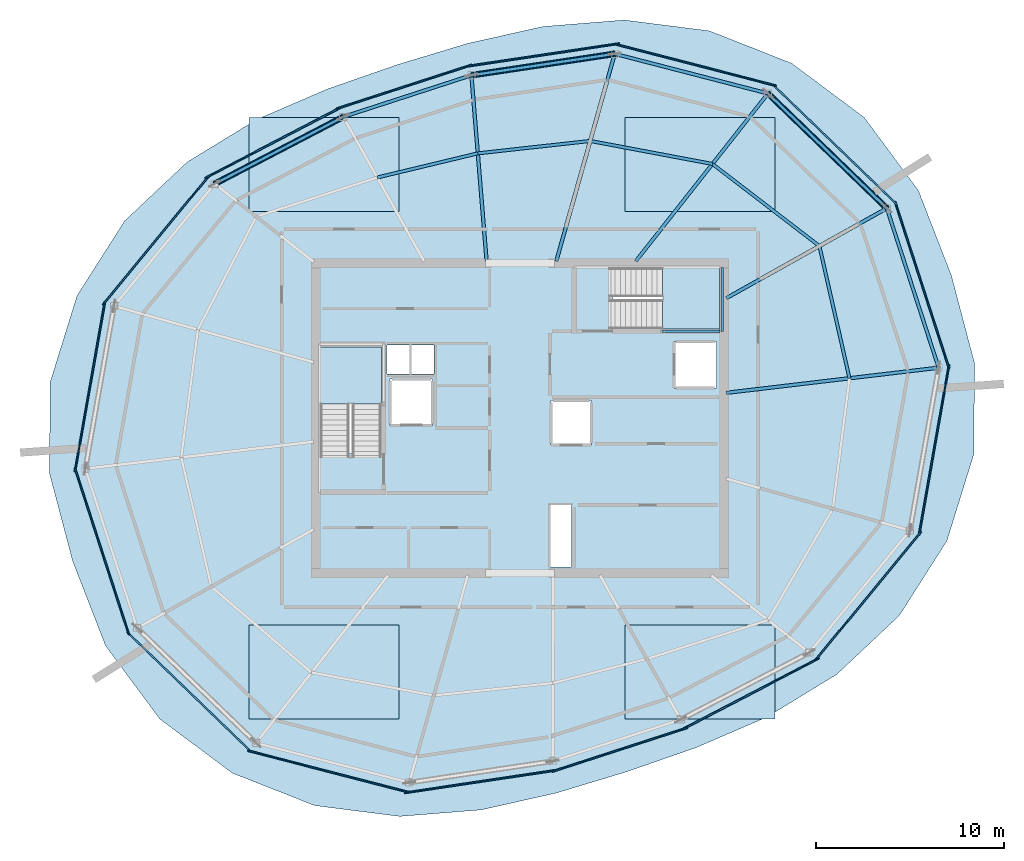
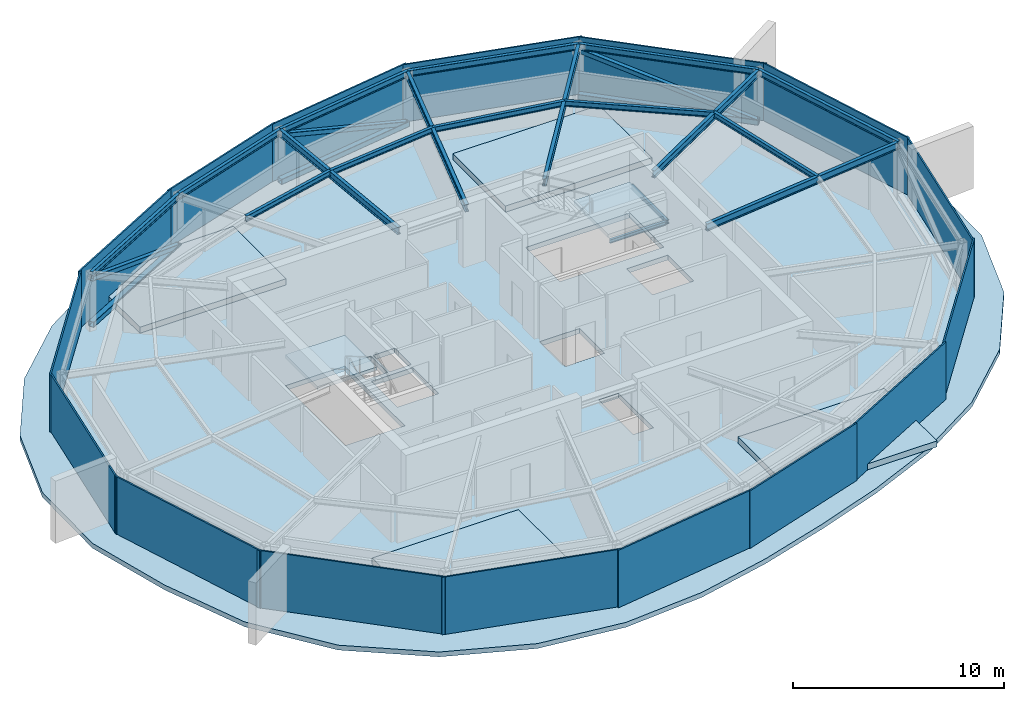
# One storey, part 5 of 10: 18 beams, 16 plates, 7 slabs, 6 members, 2 elements without a shape of their own.
"""IFC4 building model written with IfcOpenShell, lengths in metres."""

from ifc_helpers import new_model, si_unit, direction, frame, origin, origin_2d, place, context, subcontext, project, spatial, polyline, rectangle, hollow_rectangle, i_section, outline, extrude, material, layer, layer_set, material_profile, profile_set, type_object, element, aggregate, save


model = new_model("IFC4")

# Units and contexts
model_context = context("Model", 3, precision=1e-05, world=origin(), true_north=direction((0.0, 1.0)))
body_context = subcontext(model_context, "Body", "Model", "MODEL_VIEW")
ifc_project = project(units=[si_unit("LENGTHUNIT", "METRE"), si_unit("AREAUNIT", "SQUARE_METRE"), si_unit("VOLUMEUNIT", "CUBIC_METRE"), si_unit("PLANEANGLEUNIT", "RADIAN"), si_unit("MASSUNIT", "GRAM", prefix="KILO")], contexts=[model_context])

# Site, building, storey
site_placement = place(None, origin())
site = spatial("IfcSite", under=ifc_project, at=site_placement, CompositionType="ELEMENT")
building_placement = place(site_placement, origin())
building = spatial("IfcBuilding", under=site, at=building_placement, Name="Kazma Halo Residences", CompositionType="ELEMENT")
storey_placement = place(building_placement, frame((0.0, 0.0, 356.0)))
storey = spatial("IfcBuildingStorey", under=building, at=storey_placement, Name="L89", CompositionType="ELEMENT", Elevation=356.0)

# Beams
ifc_material_1 = material(Name="Steel S355", Category="steel")
ifc_material_profile_1 = material_profile(ifc_material_1, i_section(OverallWidth=0.177978515625, OverallDepth=0.406982421875, WebThickness=0.0078125, FlangeThickness=0.0126953125, FilletRadius=0.013916015625, at=origin_2d()), Name="W410x60")
ifc_profile_set_1 = profile_set([ifc_material_profile_1], Name="Steel S355")
beam_type_1 = type_object("IfcBeamType", Name="BM-RAD-W410", PredefinedType="BEAM", material=ifc_profile_set_1)
beam_1_placement = place(storey_placement, frame((59.39990234375, 48.38427734375, 3.116455078125), z_axis=(0.872500487018, 0.488613241894, 0.0), x_axis=(-0.488613241894, 0.872500487018, 0.0)))
element("IfcBeam", 1, at=beam_1_placement, inside=storey, type_object=beam_type_1, Name="L89 radial floor beam 01", PredefinedType="BEAM", context=body_context, shape_type="SweptSolid", body=[
    extrude(i_section(OverallWidth=0.177978515625, OverallDepth=0.406982421875, WebThickness=0.0078125, FlangeThickness=0.0126953125, FilletRadius=0.013916015625, at=origin_2d()), origin(), (0.0, 0.0, 1.0), 9.788818359375),
])
beam_2_placement = place(storey_placement, frame((54.58251953125, 50.35009765625, 3.116455078125), z_axis=(0.619100773028, 0.785311551447, 0.0), x_axis=(-0.785311551447, 0.619100773028, 0.0)))
element("IfcBeam", 2, at=beam_2_placement, inside=storey, type_object=beam_type_1, Name="L89 radial floor beam 02", PredefinedType="BEAM", context=body_context, shape_type="SweptSolid", body=[
    extrude(i_section(OverallWidth=0.177978515625, OverallDepth=0.406982421875, WebThickness=0.0078125, FlangeThickness=0.0126953125, FilletRadius=0.013916015625, at=origin_2d()), origin(), (0.0, 0.0, 1.0), 11.363037109375),
])
beam_3_placement = place(storey_placement, frame((50.35498046875, 50.35009765625, 3.116455078125), z_axis=(0.271433859027, 0.962457095238, 0.0), x_axis=(-0.962457095238, 0.271433859027, 0.0)))
element("IfcBeam", 3, at=beam_3_placement, inside=storey, type_object=beam_type_1, Name="L89 radial floor beam 03", PredefinedType="BEAM", context=body_context, shape_type="SweptSolid", body=[
    extrude(i_section(OverallWidth=0.177978515625, OverallDepth=0.406982421875, WebThickness=0.0078125, FlangeThickness=0.0126953125, FilletRadius=0.013916015625, at=origin_2d()), origin(), (0.0, 0.0, 1.0), 11.462646484375),
])
beam_4_placement = place(storey_placement, frame((46.64990234375, 50.35009765625, 3.116455078125), z_axis=(-0.081506605081, 0.996672801539, 0.0), x_axis=(-0.996672801539, -0.081506605081, 0.0)))
element("IfcBeam", 4, at=beam_4_placement, inside=storey, type_object=beam_type_1, Name="L89 radial floor beam 04", PredefinedType="BEAM", context=body_context, shape_type="SweptSolid", body=[
    extrude(i_section(OverallWidth=0.177978515625, OverallDepth=0.406982421875, WebThickness=0.0078125, FlangeThickness=0.0126953125, FilletRadius=0.013916015625, at=origin_2d()), origin(), (0.0, 0.0, 1.0), 9.926513671875),
])
beam_5_placement = place(storey_placement, frame((59.39990234375, 43.349365234375, 3.116455078125), z_axis=(0.993069497533, 0.117528605327, 0.0), x_axis=(-0.117528605327, 0.993069497533, 0.0)))
element("IfcBeam", 5, at=beam_5_placement, inside=storey, type_object=beam_type_1, Name="L89 radial floor beam 16", PredefinedType="BEAM", context=body_context, shape_type="SweptSolid", body=[
    extrude(i_section(OverallWidth=0.177978515625, OverallDepth=0.406982421875, WebThickness=0.0078125, FlangeThickness=0.0126953125, FilletRadius=0.013916015625, at=origin_2d()), origin(), (0.0, 0.0, 1.0), 11.375244140625),
])
ifc_material_profile_2 = material_profile(ifc_material_1, i_section(OverallWidth=0.1650390625, OverallDepth=0.31005859375, WebThickness=0.005859375, FlangeThickness=0.009765625, FilletRadius=0.011962890625, at=origin_2d()), Name="W310x38.7")
ifc_profile_set_2 = profile_set([ifc_material_profile_2], Name="Steel S355")
beam_type_2 = type_object("IfcBeamType", Name="BM-SEC-W310B", PredefinedType="JOIST", material=ifc_profile_set_2)
beam_6_placement = place(storey_placement, frame((64.353515625, 51.158447265625, 3.1650390625), z_axis=(-0.793314295729, 0.608812309494, 0.0), x_axis=(-0.608812309494, -0.793314295729, 0.0)))
element("IfcBeam", 6, at=beam_6_placement, inside=storey, type_object=beam_type_2, Name="L89 circumferential floor joist 01", PredefinedType="JOIST", context=body_context, shape_type="SweptSolid", body=[
    extrude(i_section(OverallWidth=0.1650390625, OverallDepth=0.31005859375, WebThickness=0.005859375, FlangeThickness=0.009765625, FilletRadius=0.011962890625, at=origin_2d()), origin(), (0.0, 0.0, 1.0), 7.17333984375),
])
beam_7_placement = place(storey_placement, frame((58.662841796875, 55.525634765625, 3.1650390625), z_axis=(-0.982768028721, 0.184843181435, 0.0), x_axis=(-0.184843181435, -0.982768028721, 0.0)))
element("IfcBeam", 7, at=beam_7_placement, inside=storey, type_object=beam_type_2, Name="L89 circumferential floor joist 02", PredefinedType="JOIST", context=body_context, shape_type="SweptSolid", body=[
    extrude(i_section(OverallWidth=0.1650390625, OverallDepth=0.31005859375, WebThickness=0.005859375, FlangeThickness=0.009765625, FilletRadius=0.011962890625, at=origin_2d()), origin(), (0.0, 0.0, 1.0), 6.6171875),
])
beam_8_placement = place(storey_placement, frame((52.15966796875, 56.748779296875, 3.1650390625), z_axis=(-0.993955293014, -0.109785588714, 0.0), x_axis=(0.109785588714, -0.993955293014, 0.0)))
element("IfcBeam", 8, at=beam_8_placement, inside=storey, type_object=beam_type_2, Name="L89 circumferential floor joist 03", PredefinedType="JOIST", context=body_context, shape_type="SweptSolid", body=[
    extrude(i_section(OverallWidth=0.1650390625, OverallDepth=0.31005859375, WebThickness=0.005859375, FlangeThickness=0.009765625, FilletRadius=0.011962890625, at=origin_2d()), origin(), (0.0, 0.0, 1.0), 6.015380859375),
])
beam_9_placement = place(storey_placement, frame((46.1806640625, 56.08837890625, 3.1650390625), z_axis=(-0.972370386067, -0.233443424194, 0.0), x_axis=(0.233443424194, -0.972370386067, 0.0)))
element("IfcBeam", 9, at=beam_9_placement, inside=storey, type_object=beam_type_2, Name="L89 circumferential floor joist 04", PredefinedType="JOIST", context=body_context, shape_type="SweptSolid", body=[
    extrude(i_section(OverallWidth=0.1650390625, OverallDepth=0.31005859375, WebThickness=0.005859375, FlangeThickness=0.009765625, FilletRadius=0.011962890625, at=origin_2d()), origin(), (0.0, 0.0, 1.0), 5.503173828125),
])
beam_10_placement = place(storey_placement, frame((65.951904296875, 44.124755859375, 3.1650390625), z_axis=(-0.221597696416, 0.975138175308, 0.0), x_axis=(-0.975138175308, -0.221597696416, 0.0)))
element("IfcBeam", 10, at=beam_10_placement, inside=storey, type_object=beam_type_2, Name="L89 circumferential floor joist 16", PredefinedType="JOIST", context=body_context, shape_type="SweptSolid", body=[
    extrude(i_section(OverallWidth=0.1650390625, OverallDepth=0.31005859375, WebThickness=0.005859375, FlangeThickness=0.009765625, FilletRadius=0.011962890625, at=origin_2d()), origin(), (0.0, 0.0, 1.0), 7.213134765625),
])
ifc_material_profile_3 = material_profile(ifc_material_1, i_section(OverallWidth=0.1708984375, OverallDepth=0.35498046875, WebThickness=0.007080078125, FlangeThickness=0.01171875, FilletRadius=0.013916015625, at=origin_2d()), Name="W360x51")
ifc_profile_set_3 = profile_set([ifc_material_profile_3], Name="Steel S355")
beam_type_3 = type_object("IfcBeamType", Name="BM-SPN-W360", PredefinedType="BEAM", material=ifc_profile_set_3)
beam_11_placement = place(storey_placement, frame((67.940673828125, 53.167236328125, 3.142578125), z_axis=(-0.719330630477, 0.694667866003, 0.0), x_axis=(-0.694667866003, -0.719330630477, 0.0)))
element("IfcBeam", 11, at=beam_11_placement, inside=storey, type_object=beam_type_3, Name="L89 CROWN FRAME ring beam 01", PredefinedType="BEAM", context=body_context, shape_type="SweptSolid", body=[
    extrude(i_section(OverallWidth=0.1708984375, OverallDepth=0.35498046875, WebThickness=0.007080078125, FlangeThickness=0.01171875, FilletRadius=0.013916015625, at=origin_2d()), origin(), (0.0, 0.0, 1.0), 8.79052734375),
])
beam_12_placement = place(storey_placement, frame((61.617431640625, 59.273681640625, 3.142578125), z_axis=(-0.968129821283, 0.250448895271, 0.0), x_axis=(-0.250448895271, -0.968129821283, 0.0)))
element("IfcBeam", 12, at=beam_12_placement, inside=storey, type_object=beam_type_3, Name="L89 CROWN FRAME ring beam 02", PredefinedType="BEAM", context=body_context, shape_type="SweptSolid", body=[
    extrude(i_section(OverallWidth=0.1708984375, OverallDepth=0.35498046875, WebThickness=0.007080078125, FlangeThickness=0.01171875, FilletRadius=0.013916015625, at=origin_2d()), origin(), (0.0, 0.0, 1.0), 8.41943359375),
])
beam_13_placement = place(storey_placement, frame((53.46630859375, 61.38232421875, 3.142578125), z_axis=(-0.989034152337, -0.147686984904, 0.0), x_axis=(0.147686984904, -0.989034152337, 0.0)))
element("IfcBeam", 13, at=beam_13_placement, inside=storey, type_object=beam_type_3, Name="L89 CROWN FRAME ring beam 03", PredefinedType="BEAM", context=body_context, shape_type="SweptSolid", body=[
    extrude(i_section(OverallWidth=0.1708984375, OverallDepth=0.35498046875, WebThickness=0.007080078125, FlangeThickness=0.01171875, FilletRadius=0.013916015625, at=origin_2d()), origin(), (0.0, 0.0, 1.0), 7.7099609375),
])
beam_14_placement = place(storey_placement, frame((45.8408203125, 60.24365234375, 3.142578125), z_axis=(-0.951067102, -0.308984413026, 0.0), x_axis=(0.308984413026, -0.951067102, 0.0)))
element("IfcBeam", 14, at=beam_14_placement, inside=storey, type_object=beam_type_3, Name="L89 CROWN FRAME ring beam 04", PredefinedType="BEAM", context=body_context, shape_type="SweptSolid", body=[
    extrude(i_section(OverallWidth=0.1708984375, OverallDepth=0.35498046875, WebThickness=0.007080078125, FlangeThickness=0.01171875, FilletRadius=0.013916015625, at=origin_2d()), origin(), (0.0, 0.0, 1.0), 7.168212890625),
])
beam_15_placement = place(storey_placement, frame((39.0234375, 58.02880859375, 3.142578125), z_axis=(-0.886940838721, -0.461883046461, 0.0), x_axis=(0.461883046461, -0.886940838721, 0.0)))
element("IfcBeam", 15, at=beam_15_placement, inside=storey, type_object=beam_type_3, Name="L89 CROWN FRAME ring beam 05", PredefinedType="BEAM", context=body_context, shape_type="SweptSolid", body=[
    extrude(i_section(OverallWidth=0.1708984375, OverallDepth=0.35498046875, WebThickness=0.007080078125, FlangeThickness=0.01171875, FilletRadius=0.013916015625, at=origin_2d()), origin(), (0.0, 0.0, 1.0), 7.71044921875),
])
beam_16_placement = place(storey_placement, frame((70.6962890625, 44.686279296875, 3.142578125), z_axis=(-0.309015498459, 0.951057002346, 0.0), x_axis=(-0.951057002346, -0.309015498459, 0.0)))
element("IfcBeam", 16, at=beam_16_placement, inside=storey, type_object=beam_type_3, Name="L89 CROWN FRAME ring beam 16", PredefinedType="BEAM", context=body_context, shape_type="SweptSolid", body=[
    extrude(i_section(OverallWidth=0.1708984375, OverallDepth=0.35498046875, WebThickness=0.007080078125, FlangeThickness=0.01171875, FilletRadius=0.013916015625, at=origin_2d()), origin(), (0.0, 0.0, 1.0), 8.91748046875),
])
ifc_material_profile_4 = material_profile(ifc_material_1, i_section(OverallWidth=0.133056640625, OverallDepth=0.20703125, WebThickness=0.005859375, FlangeThickness=0.00830078125, FilletRadius=0.010009765625, at=origin_2d()), Name="W200x26.6")
ifc_profile_set_4 = profile_set([ifc_material_profile_4], Name="Steel S355")
beam_type_4 = type_object("IfcBeamType", Name="BM-TRIM-W200", PredefinedType="BEAM", material=ifc_profile_set_4)
beam_17_placement = place(storey_placement, frame((56.0, 46.6201171875, 1.4951171875), z_axis=(1.0, 0.0, 0.0), x_axis=(0.0, 1.0, 0.0)))
element("IfcBeam", 17, at=beam_17_placement, inside=storey, type_object=beam_type_4, Name="L89 ST-02 landing south wall ledger", PredefinedType="BEAM", context=body_context, shape_type="SweptSolid", body=[
    extrude(i_section(OverallWidth=0.133056640625, OverallDepth=0.20703125, WebThickness=0.005859375, FlangeThickness=0.00830078125, FilletRadius=0.010009765625, at=origin_2d()), origin(), (0.0, 0.0, 1.0), 3.070068359375),
])
beam_18_placement = place(storey_placement, frame((59.18994140625, 46.6201171875, 1.4951171875), z_axis=(0.0, 1.0, 0.0), x_axis=(-1.0, 0.0, 0.0)))
element("IfcBeam", 18, at=beam_18_placement, inside=storey, type_object=beam_type_4, Name="L89 ST-02 landing end wall ledger", PredefinedType="BEAM", context=body_context, shape_type="SweptSolid", body=[
    extrude(i_section(OverallWidth=0.133056640625, OverallDepth=0.20703125, WebThickness=0.005859375, FlangeThickness=0.00830078125, FilletRadius=0.010009765625, at=origin_2d()), origin(), (0.0, 0.0, 1.0), 3.39990234375),
])

# Members
ifc_material_profile_5 = material_profile(ifc_material_1, hollow_rectangle(XDim=0.25, YDim=0.25, WallThickness=0.010009765625, InnerFilletRadius=0.010009765625, OuterFilletRadius=0.02001953125, at=origin_2d()), Name="SHS250x250x10")
ifc_profile_set_5 = profile_set([ifc_material_profile_5], Name="Steel S355")
member_type_1 = type_object("IfcMemberType", Name="MBR-CRWN-SHS250", PredefinedType="BRACE", material=ifc_profile_set_5)
member_1_placement = place(storey_placement, frame((67.940673828125, 53.167236328125, 0.280029296875), z_axis=(-0.688500856282, 0.664895112638, 0.289622271397), x_axis=(-0.694667866003, -0.719330630477, 0.0)))
element("IfcMember", 19, at=member_1_placement, inside=storey, type_object=member_type_1, Name="L89 CROWN FRAME diagonal brace 01", PredefinedType="BRACE", context=body_context, shape_type="SweptSolid", body=[
    extrude(hollow_rectangle(XDim=0.25, YDim=0.25, WallThickness=0.010009765625, InnerFilletRadius=0.010009765625, OuterFilletRadius=0.02001953125, at=origin_2d()), origin(), (0.0, 0.0, 1.0), 9.18408203125),
])
member_2_placement = place(storey_placement, frame((53.46630859375, 61.38232421875, 0.280029296875), z_axis=(-0.934958348146, -0.139612144962, 0.326130857497), x_axis=(0.147686984904, -0.989034152337, 0.0)))
element("IfcMember", 20, at=member_2_placement, inside=storey, type_object=member_type_1, Name="L89 CROWN FRAME diagonal brace 03", PredefinedType="BRACE", context=body_context, shape_type="SweptSolid", body=[
    extrude(hollow_rectangle(XDim=0.25, YDim=0.25, WallThickness=0.010009765625, InnerFilletRadius=0.010009765625, OuterFilletRadius=0.02001953125, at=origin_2d()), origin(), (0.0, 0.0, 1.0), 8.156005859375),
])
member_3_placement = place(storey_placement, frame((39.0234375, 58.02880859375, 0.280029296875), z_axis=(-0.838450646682, -0.436631308527, 0.326119017372), x_axis=(0.461883046461, -0.886940838721, 0.0)))
element("IfcMember", 21, at=member_3_placement, inside=storey, type_object=member_type_1, Name="L89 CROWN FRAME diagonal brace 05", PredefinedType="BRACE", context=body_context, shape_type="SweptSolid", body=[
    extrude(hollow_rectangle(XDim=0.25, YDim=0.25, WallThickness=0.010009765625, InnerFilletRadius=0.010009765625, OuterFilletRadius=0.02001953125, at=origin_2d()), origin(), (0.0, 0.0, 1.0), 8.15625),
])
ifc_material_profile_6 = material_profile(ifc_material_1, hollow_rectangle(XDim=0.300048828125, YDim=0.300048828125, WallThickness=0.012451171875, InnerFilletRadius=0.012451171875, OuterFilletRadius=0.02490234375, at=origin_2d()), Name="SHS300x300x12.5")
ifc_profile_set_6 = profile_set([ifc_material_profile_6], Name="Steel S355")
member_type_2 = type_object("IfcMemberType", Name="MBR-CRWN-SHS300", PredefinedType="CHORD", material=ifc_profile_set_6)
member_4_placement = place(storey_placement, frame((67.940673828125, 53.167236328125, 0.280029296875), z_axis=(-0.719330630477, 0.694667866003, 0.0), x_axis=(-0.694667866003, -0.719330630477, 0.0)))
element("IfcMember", 22, at=member_4_placement, inside=storey, type_object=member_type_2, Name="L89 CROWN FRAME horizontal ring chord 01", PredefinedType="CHORD", context=body_context, shape_type="SweptSolid", body=[
    extrude(hollow_rectangle(XDim=0.300048828125, YDim=0.300048828125, WallThickness=0.012451171875, InnerFilletRadius=0.012451171875, OuterFilletRadius=0.02490234375, at=origin_2d()), origin(), (0.0, 0.0, 1.0), 8.79052734375),
])
member_5_placement = place(storey_placement, frame((53.46630859375, 61.38232421875, 0.280029296875), z_axis=(-0.989034152337, -0.147686984904, 0.0), x_axis=(0.147686984904, -0.989034152337, 0.0)))
element("IfcMember", 23, at=member_5_placement, inside=storey, type_object=member_type_2, Name="L89 CROWN FRAME horizontal ring chord 03", PredefinedType="CHORD", context=body_context, shape_type="SweptSolid", body=[
    extrude(hollow_rectangle(XDim=0.300048828125, YDim=0.300048828125, WallThickness=0.012451171875, InnerFilletRadius=0.012451171875, OuterFilletRadius=0.02490234375, at=origin_2d()), origin(), (0.0, 0.0, 1.0), 7.7099609375),
])
member_6_placement = place(storey_placement, frame((39.0234375, 58.02880859375, 0.280029296875), z_axis=(-0.886940838721, -0.461883046461, 0.0), x_axis=(0.461883046461, -0.886940838721, 0.0)))
element("IfcMember", 24, at=member_6_placement, inside=storey, type_object=member_type_2, Name="L89 CROWN FRAME horizontal ring chord 05", PredefinedType="CHORD", context=body_context, shape_type="SweptSolid", body=[
    extrude(hollow_rectangle(XDim=0.300048828125, YDim=0.300048828125, WallThickness=0.012451171875, InnerFilletRadius=0.012451171875, OuterFilletRadius=0.02490234375, at=origin_2d()), origin(), (0.0, 0.0, 1.0), 7.71044921875),
])

# Plates
ifc_material_2 = material(Name="Aluminium AW-6063 T6 Perforated Acoustic Louvre Screen", Category="aluminium")
ifc_layer_1 = layer(ifc_material_2, 0.080078125)
ifc_layer_set_1 = layer_set([ifc_layer_1], Name="Aluminium AW-6063 T6 Perforated Acoustic Louvre Screen")
plate_type = type_object("IfcPlateType", Name="PLT-CROWN-LOUVRE", PredefinedType="SHEET", material=ifc_layer_set_1)
plate_1_placement = place(storey_placement, frame((65.17578125, 56.556640625, 0.0), z_axis=(0.0, 0.0, 1.0), x_axis=(-0.719342064482, 0.694656025863, 0.0)))
element("IfcPlate", 25, at=plate_1_placement, inside=storey, type_object=plate_type, Name="L89 pale-metal acoustic louvre screen 01", PredefinedType="SHEET", context=body_context, shape_type="SweptSolid", body=[
    extrude(rectangle(XDim=9.1904296875, YDim=0.080078125, at=origin_2d()), origin(), (0.0, 0.0, 1.0), 3.320068359375),
])
plate_2_placement = place(storey_placement, frame((57.781982421875, 60.789306640625, 0.0), z_axis=(0.0, 0.0, 1.0), x_axis=(-0.968124370805, 0.250469963576, 0.0)))
element("IfcPlate", 26, at=plate_2_placement, inside=storey, type_object=plate_type, Name="L89 pale-metal acoustic louvre screen 02", PredefinedType="SHEET", context=body_context, shape_type="SweptSolid", body=[
    extrude(rectangle(XDim=8.8193359375, YDim=0.080078125, at=origin_2d()), origin(), (0.0, 0.0, 1.0), 3.320068359375),
])
plate_3_placement = place(storey_placement, frame((49.69921875, 61.3310546875, 0.0), z_axis=(0.0, 0.0, 1.0), x_axis=(-0.98903421845, -0.147686542161, 0.0)))
element("IfcPlate", 27, at=plate_3_placement, inside=storey, type_object=plate_type, Name="L89 pale-metal acoustic louvre screen 03", PredefinedType="SHEET", context=body_context, shape_type="SweptSolid", body=[
    extrude(rectangle(XDim=8.110107421875, YDim=0.080078125, at=origin_2d()), origin(), (0.0, 0.0, 1.0), 3.320068359375),
])
plate_4_placement = place(storey_placement, frame((42.271484375, 59.630615234375, 0.0), z_axis=(0.0, 0.0, 1.0), x_axis=(-0.951058260985, -0.309011624721, 0.0)))
element("IfcPlate", 28, at=plate_4_placement, inside=storey, type_object=plate_type, Name="L89 pale-metal acoustic louvre screen 04", PredefinedType="SHEET", context=body_context, shape_type="SweptSolid", body=[
    extrude(rectangle(XDim=7.568115234375, YDim=0.080078125, at=origin_2d()), origin(), (0.0, 0.0, 1.0), 3.320068359375),
])
plate_5_placement = place(storey_placement, frame((35.262939453125, 56.640380859375, 0.0), z_axis=(0.0, 0.0, 1.0), x_axis=(-0.886949727325, -0.461865977529, 0.0)))
element("IfcPlate", 29, at=plate_5_placement, inside=storey, type_object=plate_type, Name="L89 pale-metal acoustic louvre screen 05", PredefinedType="SHEET", context=body_context, shape_type="SweptSolid", body=[
    extrude(rectangle(XDim=8.110107421875, YDim=0.080078125, at=origin_2d()), origin(), (0.0, 0.0, 1.0), 3.320068359375),
])
plate_6_placement = place(storey_placement, frame((29.0419921875, 51.451171875, 0.0), z_axis=(0.0, 0.0, 1.0), x_axis=(-0.636007787073, -0.771682638643, 0.0)))
element("IfcPlate", 30, at=plate_6_placement, inside=storey, type_object=plate_type, Name="L89 pale-metal acoustic louvre screen 06", PredefinedType="SHEET", context=body_context, shape_type="SweptSolid", body=[
    extrude(rectangle(XDim=8.8193359375, YDim=0.080078125, at=origin_2d()), origin(), (0.0, 0.0, 1.0), 3.320068359375),
])
plate_7_placement = place(storey_placement, frame((25.54833984375, 43.680908203125, 0.0), z_axis=(0.0, 0.0, 1.0), x_axis=(-0.173656186938, -0.984806340728, 0.0)))
element("IfcPlate", 31, at=plate_7_placement, inside=storey, type_object=plate_type, Name="L89 pale-metal acoustic louvre screen 07", PredefinedType="SHEET", context=body_context, shape_type="SweptSolid", body=[
    extrude(rectangle(XDim=9.1904296875, YDim=0.080078125, at=origin_2d()), origin(), (0.0, 0.0, 1.0), 3.320068359375),
])
plate_8_placement = place(storey_placement, frame((26.18701171875, 34.91259765625, 0.0), z_axis=(0.0, 0.0, 1.0), x_axis=(0.309022680214, -0.951054668835, 0.0)))
element("IfcPlate", 32, at=plate_8_placement, inside=storey, type_object=plate_type, Name="L89 pale-metal acoustic louvre screen 08", PredefinedType="SHEET", context=body_context, shape_type="SweptSolid", body=[
    extrude(rectangle(XDim=9.3173828125, YDim=0.080078125, at=origin_2d()), origin(), (0.0, 0.0, 1.0), 3.320068359375),
])
plate_9_placement = place(storey_placement, frame((30.82421875, 27.443359375, 0.0), z_axis=(0.0, 0.0, 1.0), x_axis=(0.719342064482, -0.694656025863, 0.0)))
element("IfcPlate", 33, at=plate_9_placement, inside=storey, type_object=plate_type, Name="L89 pale-metal acoustic louvre screen 09", PredefinedType="SHEET", context=body_context, shape_type="SweptSolid", body=[
    extrude(rectangle(XDim=9.1904296875, YDim=0.080078125, at=origin_2d()), origin(), (0.0, 0.0, 1.0), 3.320068359375),
])
plate_10_placement = place(storey_placement, frame((38.218017578125, 23.210693359375, 0.0), z_axis=(0.0, 0.0, 1.0), x_axis=(0.968124370805, -0.250469963576, 0.0)))
element("IfcPlate", 34, at=plate_10_placement, inside=storey, type_object=plate_type, Name="L89 pale-metal acoustic louvre screen 10", PredefinedType="SHEET", context=body_context, shape_type="SweptSolid", body=[
    extrude(rectangle(XDim=8.8193359375, YDim=0.080078125, at=origin_2d()), origin(), (0.0, 0.0, 1.0), 3.320068359375),
])
plate_11_placement = place(storey_placement, frame((46.30078125, 22.6689453125, 0.0), z_axis=(0.0, 0.0, 1.0), x_axis=(0.98903421845, 0.147686542161, 0.0)))
element("IfcPlate", 35, at=plate_11_placement, inside=storey, type_object=plate_type, Name="L89 pale-metal acoustic louvre screen 11", PredefinedType="SHEET", context=body_context, shape_type="SweptSolid", body=[
    extrude(rectangle(XDim=8.110107421875, YDim=0.080078125, at=origin_2d()), origin(), (0.0, 0.0, 1.0), 3.320068359375),
])
plate_12_placement = place(storey_placement, frame((53.728515625, 24.369384765625, 0.0), z_axis=(0.0, 0.0, 1.0), x_axis=(0.951058260985, 0.309011624721, 0.0)))
element("IfcPlate", 36, at=plate_12_placement, inside=storey, type_object=plate_type, Name="L89 pale-metal acoustic louvre screen 12", PredefinedType="SHEET", context=body_context, shape_type="SweptSolid", body=[
    extrude(rectangle(XDim=7.568115234375, YDim=0.080078125, at=origin_2d()), origin(), (0.0, 0.0, 1.0), 3.320068359375),
])
plate_13_placement = place(storey_placement, frame((60.737060546875, 27.359619140625, 0.0), z_axis=(0.0, 0.0, 1.0), x_axis=(0.886949727325, 0.461865977529, 0.0)))
element("IfcPlate", 37, at=plate_13_placement, inside=storey, type_object=plate_type, Name="L89 pale-metal acoustic louvre screen 13", PredefinedType="SHEET", context=body_context, shape_type="SweptSolid", body=[
    extrude(rectangle(XDim=8.110107421875, YDim=0.080078125, at=origin_2d()), origin(), (0.0, 0.0, 1.0), 3.320068359375),
])
plate_14_placement = place(storey_placement, frame((66.9580078125, 32.548828125, 0.0), z_axis=(0.0, 0.0, 1.0), x_axis=(0.636007787073, 0.771682638643, 0.0)))
element("IfcPlate", 38, at=plate_14_placement, inside=storey, type_object=plate_type, Name="L89 pale-metal acoustic louvre screen 14", PredefinedType="SHEET", context=body_context, shape_type="SweptSolid", body=[
    extrude(rectangle(XDim=8.8193359375, YDim=0.080078125, at=origin_2d()), origin(), (0.0, 0.0, 1.0), 3.320068359375),
])
plate_15_placement = place(storey_placement, frame((70.45166015625, 40.319091796875, 0.0), z_axis=(0.0, 0.0, 1.0), x_axis=(0.173656186938, 0.984806340728, 0.0)))
element("IfcPlate", 39, at=plate_15_placement, inside=storey, type_object=plate_type, Name="L89 pale-metal acoustic louvre screen 15", PredefinedType="SHEET", context=body_context, shape_type="SweptSolid", body=[
    extrude(rectangle(XDim=9.1904296875, YDim=0.080078125, at=origin_2d()), origin(), (0.0, 0.0, 1.0), 3.320068359375),
])
plate_16_placement = place(storey_placement, frame((69.81298828125, 49.08740234375, 0.0), z_axis=(0.0, 0.0, 1.0), x_axis=(-0.309022680214, 0.951054668835, 0.0)))
element("IfcPlate", 40, at=plate_16_placement, inside=storey, type_object=plate_type, Name="L89 pale-metal acoustic louvre screen 16", PredefinedType="SHEET", context=body_context, shape_type="SweptSolid", body=[
    extrude(rectangle(XDim=9.3173828125, YDim=0.080078125, at=origin_2d()), origin(), (0.0, 0.0, 1.0), 3.320068359375),
])

# Slabs
ifc_material_3 = material(Name="Concrete C50/60", Category="concrete")
ifc_layer_2 = layer(ifc_material_3, 0.280029296875)
ifc_layer_set_2 = layer_set([ifc_layer_2], Name="Concrete C50/60")
slab_type_1 = type_object("IfcSlabType", Name="SLB-MEP-280", PredefinedType="FLOOR", material=ifc_layer_set_2)
slab_1_placement = place(storey_placement, frame((0.0, 0.0, -0.280029296875)))
element("IfcSlab", 41, at=slab_1_placement, inside=storey, type_object=slab_type_1, Name="L89 structural floor slab", PredefinedType="FLOOR", context=body_context, shape_type="SweptSolid", body=[
    extrude(outline(polyline([(71.375, 49.594970703125), (69.62158203125, 54.108642578125), (66.736572265625, 58.00244140625), (62.88232421875, 60.878173828125), (58.49951171875, 62.606201171875), (53.97412109375, 63.18310546875), (49.639892578125, 62.836181640625), (45.64013671875, 61.9384765625), (41.889892578125, 60.80517578125), (38.189697265625, 59.517578125), (34.426025390625, 57.89306640625), (30.7158203125, 55.625732421875), (27.393798828125, 52.49951171875), (24.863525390625, 48.525146484375), (23.435791015625, 43.93310546875), (23.390380859375, 39.08740234375), (24.625, 34.405029296875), (26.37841796875, 29.891357421875), (29.263427734375, 25.99755859375), (33.11767578125, 23.121826171875), (37.50048828125, 21.393798828125), (42.02587890625, 20.81689453125), (46.360107421875, 21.163818359375), (50.35986328125, 22.0615234375), (54.110107421875, 23.19482421875), (57.810302734375, 24.482421875), (61.573974609375, 26.10693359375), (65.2841796875, 28.374267578125), (68.606201171875, 31.50048828125), (71.136474609375, 35.474853515625), (72.564208984375, 40.06689453125), (72.609619140625, 44.91259765625), (71.375, 49.594970703125)]), holes=[polyline([(37.800048828125, 40.110107421875), (41.050048828125, 40.110107421875), (41.050048828125, 45.800048828125), (37.800048828125, 45.800048828125), (37.800048828125, 40.110107421875)]), polyline([(53.360107421875, 46.75), (59.050048828125, 46.75), (59.050048828125, 50.0), (53.360107421875, 50.0), (53.360107421875, 46.75)]), polyline([(41.52001953125, 41.6201171875), (43.780029296875, 41.6201171875), (43.780029296875, 44.080078125), (41.52001953125, 44.080078125), (41.52001953125, 41.6201171875)]), polyline([(56.6201171875, 43.6201171875), (58.8798828125, 43.6201171875), (58.8798828125, 46.080078125), (56.6201171875, 46.080078125), (56.6201171875, 43.6201171875)]), polyline([(50.070068359375, 40.570068359375), (52.22998046875, 40.570068359375), (52.22998046875, 42.929931640625), (50.070068359375, 42.929931640625), (50.070068359375, 40.570068359375)]), polyline([(41.360107421875, 44.340087890625), (42.5400390625, 44.340087890625), (42.5400390625, 45.89990234375), (41.360107421875, 45.89990234375), (41.360107421875, 44.340087890625)]), polyline([(42.659912109375, 44.340087890625), (43.840087890625, 44.340087890625), (43.840087890625, 45.89990234375), (42.659912109375, 45.89990234375), (42.659912109375, 44.340087890625)]), polyline([(50.06005859375, 34.080078125), (51.159912109375, 34.080078125), (51.159912109375, 37.3798828125), (50.06005859375, 37.3798828125), (50.06005859375, 34.080078125)])]), origin(), (0.0, 0.0, 1.0), 0.280029296875),
])
ifc_layer_3 = layer(ifc_material_3, 0.35009765625)
ifc_layer_set_3 = layer_set([ifc_layer_3], Name="Concrete C50/60")
slab_type_2 = type_object("IfcSlabType", Name="SLB-PLINTH-350", PredefinedType="FLOOR", material=ifc_layer_set_3)
slab_2_placement = place(storey_placement, origin())
element("IfcSlab", 42, at=slab_2_placement, inside=storey, type_object=slab_type_2, Name="L89 mechanical chiller and cooling-tower plinth 1", PredefinedType="FLOOR", context=body_context, shape_type="SweptSolid", body=[
    extrude(outline(polyline([(34.0, 26.0), (42.0, 26.0), (42.0, 31.0), (34.0, 31.0), (34.0, 26.0)])), origin(), (0.0, 0.0, 1.0), 0.35009765625),
])
slab_3_placement = place(storey_placement, origin())
element("IfcSlab", 43, at=slab_3_placement, inside=storey, type_object=slab_type_2, Name="L89 mechanical chiller and cooling-tower plinth 2", PredefinedType="FLOOR", context=body_context, shape_type="SweptSolid", body=[
    extrude(outline(polyline([(54.0, 26.0), (62.0, 26.0), (62.0, 31.0), (54.0, 31.0), (54.0, 26.0)])), origin(), (0.0, 0.0, 1.0), 0.35009765625),
])
slab_4_placement = place(storey_placement, origin())
element("IfcSlab", 44, at=slab_4_placement, inside=storey, type_object=slab_type_2, Name="L89 mechanical chiller and cooling-tower plinth 3", PredefinedType="FLOOR", context=body_context, shape_type="SweptSolid", body=[
    extrude(outline(polyline([(34.0, 53.0), (42.0, 53.0), (42.0, 58.0), (34.0, 58.0), (34.0, 53.0)])), origin(), (0.0, 0.0, 1.0), 0.35009765625),
])
slab_5_placement = place(storey_placement, origin())
element("IfcSlab", 45, at=slab_5_placement, inside=storey, type_object=slab_type_2, Name="L89 mechanical chiller and cooling-tower plinth 4", PredefinedType="FLOOR", context=body_context, shape_type="SweptSolid", body=[
    extrude(outline(polyline([(54.0, 53.0), (62.0, 53.0), (62.0, 58.0), (54.0, 58.0), (54.0, 53.0)])), origin(), (0.0, 0.0, 1.0), 0.35009765625),
])

# Stair, slab
stair_type = type_object("IfcStairType", Name="STR-CRWN", PredefinedType="HALF_TURN_STAIR", material=ifc_material_3)
stair_1_placement = place(storey_placement, origin())
stair_1 = element("IfcStair", 46, at=stair_1_placement, inside=storey, type_object=stair_type, Name="L89 Core exit stair ST-01", PredefinedType="HALF_TURN_STAIR")
ifc_layer_4 = layer(ifc_material_3, 0.199951171875)
ifc_layer_set_4 = layer_set([ifc_layer_4], Name="Concrete C50/60")
slab_type_3 = type_object("IfcSlabType", Name="SLB-STAIR-LND-200", PredefinedType="LANDING", material=ifc_layer_set_4)
slab_6_placement = place(storey_placement, frame((0.0, 0.0, 1.60009765625)))
slab_6 = element("IfcSlab", 47, at=slab_6_placement, type_object=slab_type_3, Name="ST-01 landing 1", PredefinedType="LANDING", context=body_context, shape_type="SweptSolid", body=[
    extrude(outline(polyline([(41.050048828125, 42.75), (41.050048828125, 45.800048828125), (37.800048828125, 45.800048828125), (37.800048828125, 42.75), (41.050048828125, 42.75)])), origin(), (0.0, 0.0, 1.0), 0.199951171875),
])
aggregate(stair_1, [slab_6])

stair_2_placement = place(storey_placement, origin())
stair_2 = element("IfcStair", 48, at=stair_2_placement, inside=storey, type_object=stair_type, Name="L89 Core exit stair ST-02", PredefinedType="HALF_TURN_STAIR")
slab_7_placement = place(storey_placement, frame((0.0, 0.0, 1.60009765625)))
slab_7 = element("IfcSlab", 49, at=slab_7_placement, type_object=slab_type_3, Name="ST-02 landing 1", PredefinedType="LANDING", context=body_context, shape_type="SweptSolid", body=[
    extrude(outline(polyline([(56.0, 46.75), (59.050048828125, 46.75), (59.050048828125, 50.0), (56.0, 50.0), (56.0, 46.75)])), origin(), (0.0, 0.0, 1.0), 0.199951171875),
])
aggregate(stair_2, [slab_7])

save(model, "model.ifc")
